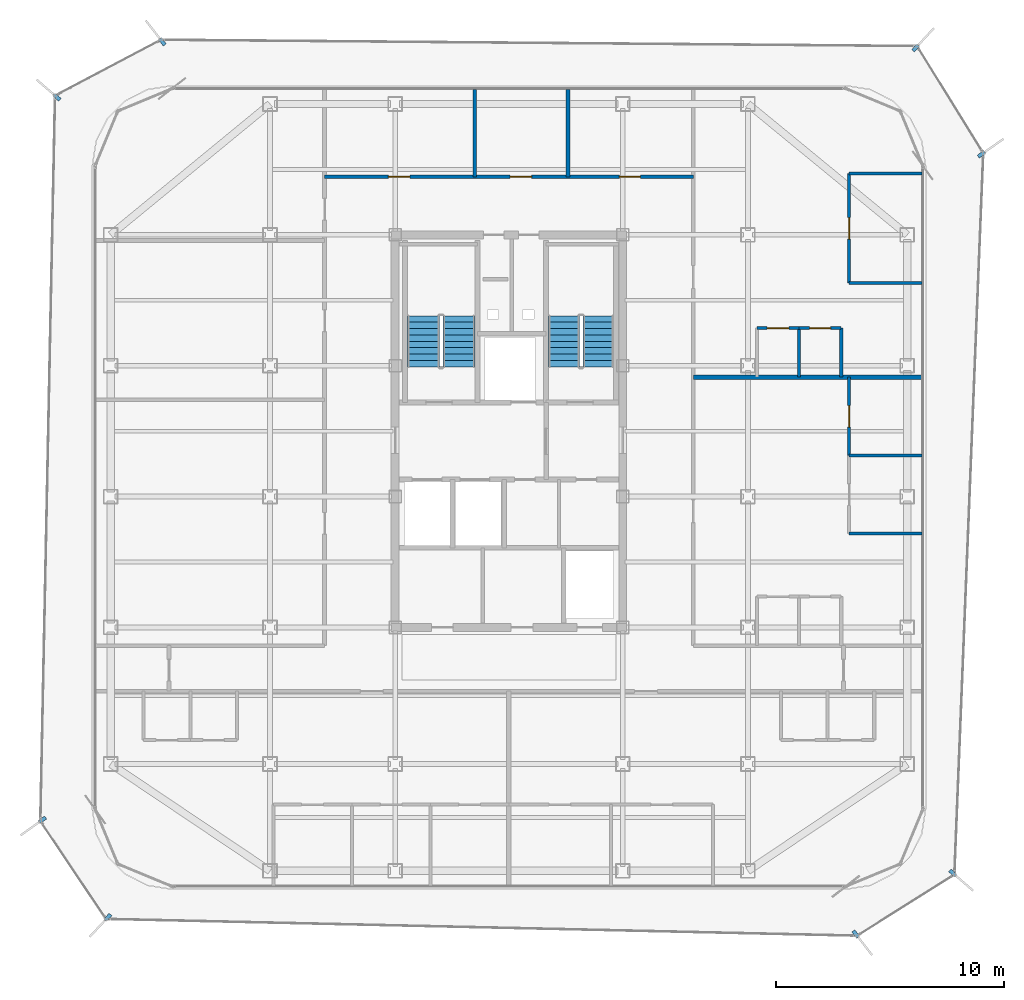
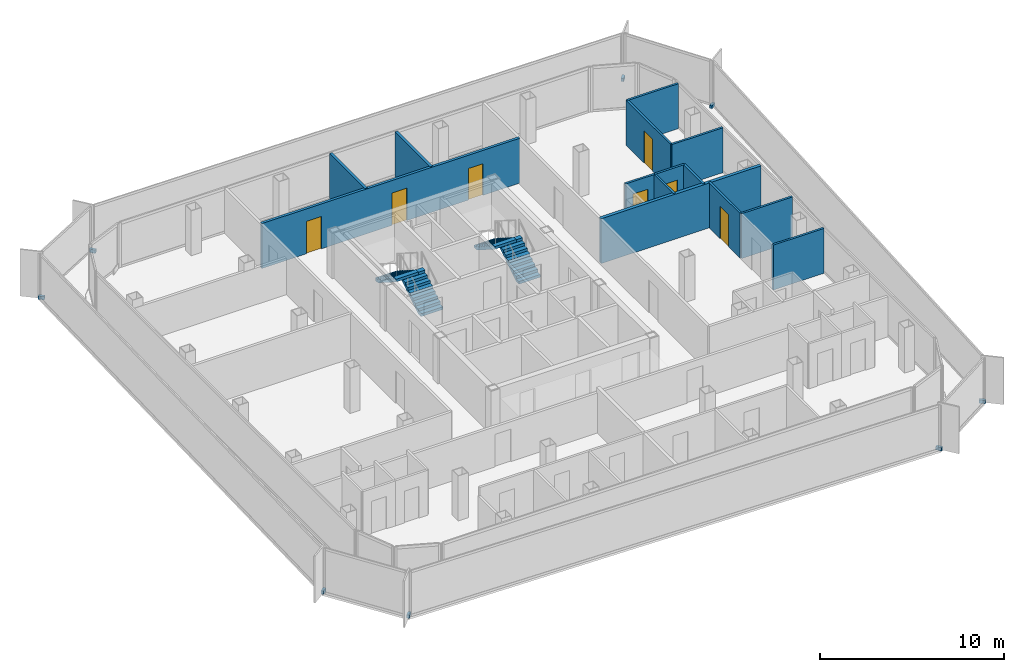
# One storey, part 12 of 15: 14 walls, 8 discrete accessories, 7 doors, 4 stair flights, 7 openings, 2 elements without a shape of their own.
"""IFC4 building model written with IfcOpenShell, lengths in metres."""

from ifc_helpers import new_model, si_unit, direction, frame, frame_2d, origin, origin_2d, place, context, subcontext, project, spatial, polyline, rectangle, outline, extrude, source, transform, mapped, material, layer, layer_set, type_object, element, fill, aggregate, save


model = new_model("IFC4")

# Units and contexts
model_context = context("Model", 3, precision=1e-05, world=origin(), true_north=direction((0.0, 1.0)))
body_context = subcontext(model_context, "Body", "Model", "MODEL_VIEW")
ifc_project = project(units=[si_unit("LENGTHUNIT", "METRE"), si_unit("AREAUNIT", "SQUARE_METRE"), si_unit("VOLUMEUNIT", "CUBIC_METRE"), si_unit("PLANEANGLEUNIT", "RADIAN"), si_unit("MASSUNIT", "GRAM", prefix="KILO")], contexts=[model_context])

# Site, building, storey
site_placement = place(None, origin())
site = spatial("IfcSite", under=ifc_project, at=site_placement, CompositionType="ELEMENT")
building_placement = place(site_placement, origin())
building = spatial("IfcBuilding", under=site, at=building_placement, Name="Kolveth Station Tower", CompositionType="ELEMENT")
storey_placement = place(building_placement, frame((0.0, 0.0, 239.300048828125)))
storey = spatial("IfcBuildingStorey", under=building, at=storey_placement, Name="L68", CompositionType="ELEMENT", Elevation=239.300048828125)

# Wall
ifc_material_1 = material(Name="Moisture-resistant gypsum partition")
ifc_layer_1 = layer(ifc_material_1, 0.135009765625)
ifc_layer_set_1 = layer_set([ifc_layer_1], Name="Moisture-resistant gypsum partition")
wall_type_1 = type_object("IfcWallType", Name="Wall_IW-135", PredefinedType="PARTITIONING", material=ifc_layer_set_1)
wall_1_placement = place(storey_placement, frame((38.449951171875, 15.6240234375, 0.0), z_axis=(0.0, 0.0, 1.0), x_axis=(1.0, 0.0, 0.0)))
element("IfcWall", 1, at=wall_1_placement, inside=storey, type_object=wall_type_1, Name="L68 Partition Wall WL-L68-E1-BDH0", PredefinedType="PARTITIONING", context=body_context, shape_type="SweptSolid", body=[
    extrude(rectangle(XDim=3.18994140625, YDim=0.135009765625, at=frame_2d((1.594970703125, 0.0))), origin(), (0.0, 0.0, 1.0), 2.97998046875),
])

# Wall, opening, door
wall_2_placement = place(storey_placement, frame((38.449951171875, 19.06201171875, 0.0), z_axis=(0.0, 0.0, 1.0), x_axis=(0.0, 1.0, 0.0)))
wall_2 = element("IfcWall", 2, at=wall_2_placement, inside=storey, type_object=wall_type_1, Name="L68 Partition Wall WL-L68-E1-BDV2", PredefinedType="PARTITIONING", context=body_context, shape_type="SweptSolid", body=[
    extrude(rectangle(XDim=3.43798828125, YDim=0.135009765625, at=frame_2d((1.718994140625, 0.0))), origin(), (0.0, 0.0, 1.0), 2.97998046875),
])
opening_1_placement = place(wall_2_placement, frame((1.239013671875, 0.0, 0.0)))
opening_1 = element("IfcOpeningElement", 3, at=opening_1_placement, cuts=wall_2, Name="Opening ID1", PredefinedType="OPENING", context=body_context, shape_type="SweptSolid", body=[
    extrude(rectangle(XDim=0.949951171875, YDim=2.14990234375, at=frame_2d((0.47509765625, 1.074951171875))), frame((0.0, 0.077392578125, 0.0), z_axis=(0.0, -1.0, 0.0), x_axis=(1.0, 0.0, 0.0)), (0.0, 0.0, 1.0), 0.155029296875),
])
ifc_material_2 = material(Name="Acoustic hardwood leaf and aluminium frame", Category="wood")
door_type_1 = type_object("IfcDoorType", Name="Door_ID1", OperationType="NOTDEFINED", PredefinedType="DOOR", material=ifc_material_2)
door_1_placement = place(opening_1_placement, frame((0.949951171875, 0.0, 0.0), z_axis=(0.0, 0.0, 1.0), x_axis=(-1.0, 0.0, 0.0)))
door_1 = element("IfcDoor", 4, at=door_1_placement, inside=storey, type_object=door_type_1, Name="Penthouse Flat L68-E1 Bedroom 2 Door", OperationType="SINGLE_SWING_LEFT", OverallHeight=2.14990234375, OverallWidth=0.949951171875, PredefinedType="DOOR", context=body_context, shape_type="SweptSolid", body=[
    extrude(rectangle(XDim=0.949951171875, YDim=2.14990234375, at=frame_2d((0.47509765625, 1.074951171875))), frame((0.0, 0.02490234375, 0.0), z_axis=(0.0, -1.0, 0.0), x_axis=(1.0, 0.0, 0.0)), (0.0, 0.0, 1.0), 0.050048828125),
])
fill(opening_1, door_1)

# Wall
wall_3_placement = place(storey_placement, frame((38.449951171875, 19.06201171875, 0.0), z_axis=(0.0, 0.0, 1.0), x_axis=(1.0, 0.0, 0.0)))
element("IfcWall", 5, at=wall_3_placement, inside=storey, type_object=wall_type_1, Name="L68 Partition Wall WL-L68-E1-BDH1", PredefinedType="PARTITIONING", context=body_context, shape_type="SweptSolid", body=[
    extrude(rectangle(XDim=3.18994140625, YDim=0.135009765625, at=frame_2d((1.594970703125, 0.0))), origin(), (0.0, 0.0, 1.0), 2.97998046875),
])

# Wall, opening, door
wall_4_placement = place(storey_placement, frame((34.39990234375, 24.64990234375, 0.0), z_axis=(0.0, 0.0, 1.0), x_axis=(1.0, 0.0, 0.0)))
wall_4 = element("IfcWall", 6, at=wall_4_placement, inside=storey, type_object=wall_type_1, Name="L68 Partition Wall WL-L68-E2-IBHK", PredefinedType="PARTITIONING", context=body_context, shape_type="SweptSolid", body=[
    extrude(rectangle(XDim=1.85009765625, YDim=0.135009765625, at=frame_2d((0.925048828125, 0.0))), origin(), (0.0, 0.0, 1.0), 2.97998046875),
])
opening_2_placement = place(wall_4_placement, frame((0.445068359375, 0.0, 0.0)))
opening_2 = element("IfcOpeningElement", 7, at=opening_2_placement, cuts=wall_4, Name="Opening ID1", PredefinedType="OPENING", context=body_context, shape_type="SweptSolid", body=[
    extrude(rectangle(XDim=0.949951171875, YDim=2.14990234375, at=frame_2d((0.47509765625, 1.074951171875))), frame((0.0, 0.077392578125, 0.0), z_axis=(0.0, -1.0, 0.0), x_axis=(1.0, 0.0, 0.0)), (0.0, 0.0, 1.0), 0.155029296875),
])
door_2_placement = place(opening_2_placement, origin())
door_2 = element("IfcDoor", 8, at=door_2_placement, inside=storey, type_object=door_type_1, Name="Penthouse Flat L68-E2 Kitchen Door", OperationType="SINGLE_SWING_LEFT", OverallHeight=2.14990234375, OverallWidth=0.949951171875, PredefinedType="DOOR", context=body_context, shape_type="SweptSolid", body=[
    extrude(rectangle(XDim=0.949951171875, YDim=2.14990234375, at=frame_2d((0.47509765625, 1.074951171875))), frame((0.0, 0.02490234375, 0.0), z_axis=(0.0, -1.0, 0.0), x_axis=(1.0, 0.0, 0.0)), (0.0, 0.0, 1.0), 0.050048828125),
])
fill(opening_2, door_2)

wall_5_placement = place(storey_placement, frame((36.25, 24.64990234375, 0.0), z_axis=(0.0, 0.0, 1.0), x_axis=(1.0, 0.0, 0.0)))
wall_5 = element("IfcWall", 9, at=wall_5_placement, inside=storey, type_object=wall_type_1, Name="L68 Partition Wall WL-L68-E2-IBHB", PredefinedType="PARTITIONING", context=body_context, shape_type="SweptSolid", body=[
    extrude(rectangle(XDim=1.85009765625, YDim=0.135009765625, at=frame_2d((0.925048828125, 0.0))), origin(), (0.0, 0.0, 1.0), 2.97998046875),
])
opening_3_placement = place(wall_5_placement, frame((0.465087890625, 0.0, 0.0)))
opening_3 = element("IfcOpeningElement", 10, at=opening_3_placement, cuts=wall_5, Name="Opening ID2", PredefinedType="OPENING", context=body_context, shape_type="SweptSolid", body=[
    extrude(rectangle(XDim=0.919921875, YDim=2.10009765625, at=frame_2d((0.4599609375, 1.050048828125))), frame((0.0, 0.077392578125, 0.0), z_axis=(0.0, -1.0, 0.0), x_axis=(1.0, 0.0, 0.0)), (0.0, 0.0, 1.0), 0.155029296875),
])
ifc_material_3 = material(Name="Moisture-resistant hardwood leaf", Category="wood")
door_type_2 = type_object("IfcDoorType", Name="Door_ID2", OperationType="NOTDEFINED", PredefinedType="DOOR", material=ifc_material_3)
door_3_placement = place(opening_3_placement, origin())
door_3 = element("IfcDoor", 11, at=door_3_placement, inside=storey, type_object=door_type_2, Name="Penthouse Flat L68-E2 Bathroom Door", OperationType="SINGLE_SWING_RIGHT", OverallHeight=2.10009765625, OverallWidth=0.919921875, PredefinedType="DOOR", context=body_context, shape_type="SweptSolid", body=[
    extrude(rectangle(XDim=0.919921875, YDim=2.10009765625, at=frame_2d((0.4599609375, 1.050048828125))), frame((0.0, 0.02490234375, 0.0), z_axis=(0.0, -1.0, 0.0), x_axis=(1.0, 0.0, 0.0)), (0.0, 0.0, 1.0), 0.050048828125),
])
fill(opening_3, door_3)

# Walls
for number, where, z_axis, x_axis, name in (
    (12, (36.25, 22.5, 0.0), (0.0, 0.0, 1.0), (0.0, 1.0, 0.0), "L68 Partition Wall WL-L68-E2-IBV1"),
    (13, (38.10009765625, 22.5, 0.0), (0.0, 0.0, 1.0), (0.0, 1.0, 0.0), "L68 Partition Wall WL-L68-E2-IBV2"),
):
    element("IfcWall", number, at=place(storey_placement, frame(where, z_axis=z_axis, x_axis=x_axis)), inside=storey, type_object=wall_type_1, Name=name, PredefinedType="PARTITIONING", context=body_context, shape_type="SweptSolid", body=[
        extrude(rectangle(XDim=2.14990234375, YDim=0.135009765625, at=frame_2d((1.074951171875, 0.0))), origin(), (0.0, 0.0, 1.0), 2.97998046875),
    ])
for number, where, z_axis, x_axis, name in (
    (14, (38.449951171875, 26.6259765625, 0.0), (0.0, 0.0, 1.0), (1.0, 0.0, 0.0), "L68 Partition Wall WL-L68-E2-BDH0"),
    (15, (38.449951171875, 31.449951171875, 0.0), (0.0, 0.0, 1.0), (1.0, 0.0, 0.0), "L68 Partition Wall WL-L68-E2-BDHE"),
):
    element("IfcWall", number, at=place(storey_placement, frame(where, z_axis=z_axis, x_axis=x_axis)), inside=storey, type_object=wall_type_1, Name=name, PredefinedType="PARTITIONING", context=body_context, shape_type="SweptSolid", body=[
        extrude(rectangle(XDim=3.18994140625, YDim=0.135009765625, at=frame_2d((1.594970703125, 0.0))), origin(), (0.0, 0.0, 1.0), 2.97998046875),
    ])

# Wall, opening, door
wall_6_placement = place(storey_placement, frame((38.449951171875, 26.6259765625, 0.0), z_axis=(0.0, 0.0, 1.0), x_axis=(0.0, 1.0, 0.0)))
wall_6 = element("IfcWall", 16, at=wall_6_placement, inside=storey, type_object=wall_type_1, Name="L68 Partition Wall WL-L68-E2-BDV1", PredefinedType="PARTITIONING", context=body_context, shape_type="SweptSolid", body=[
    extrude(rectangle(XDim=4.823974609375, YDim=0.135009765625, at=frame_2d((2.412109375, 0.0))), origin(), (0.0, 0.0, 1.0), 2.97998046875),
])
opening_4_placement = place(wall_6_placement, frame((1.931884765625, 0.0, 0.0)))
opening_4 = element("IfcOpeningElement", 17, at=opening_4_placement, cuts=wall_6, Name="Opening ID1", PredefinedType="OPENING", context=body_context, shape_type="SweptSolid", body=[
    extrude(rectangle(XDim=0.949951171875, YDim=2.14990234375, at=frame_2d((0.47509765625, 1.074951171875))), frame((0.0, 0.077392578125, 0.0), z_axis=(0.0, -1.0, 0.0), x_axis=(1.0, 0.0, 0.0)), (0.0, 0.0, 1.0), 0.155029296875),
])
door_4_placement = place(opening_4_placement, frame((0.949951171875, 0.0, 0.0), z_axis=(0.0, 0.0, 1.0), x_axis=(-1.0, 0.0, 0.0)))
door_4 = element("IfcDoor", 18, at=door_4_placement, inside=storey, type_object=door_type_1, Name="Penthouse Flat L68-E2 Bedroom 1 Door", OperationType="SINGLE_SWING_LEFT", OverallHeight=2.14990234375, OverallWidth=0.949951171875, PredefinedType="DOOR", context=body_context, shape_type="SweptSolid", body=[
    extrude(rectangle(XDim=0.949951171875, YDim=2.14990234375, at=frame_2d((0.47509765625, 1.074951171875))), frame((0.0, 0.02490234375, 0.0), z_axis=(0.0, -1.0, 0.0), x_axis=(1.0, 0.0, 0.0)), (0.0, 0.0, 1.0), 0.050048828125),
])
fill(opening_4, door_4)

# Wall, openings, doors
ifc_material_4 = material(Name="Acoustic double-stud gypsum partition")
ifc_layer_2 = layer(ifc_material_4, 0.1650390625)
ifc_layer_set_2 = layer_set([ifc_layer_2], Name="Acoustic double-stud gypsum partition")
wall_type_2 = type_object("IfcWallType", Name="Wall_IW-165", PredefinedType="PARTITIONING", material=ifc_layer_set_2)
wall_7_placement = place(storey_placement, frame((15.39990234375, 31.300048828125, 0.0), z_axis=(0.0, 0.0, 1.0), x_axis=(1.0, 0.0, 0.0)))
wall_7 = element("IfcWall", 19, at=wall_7_placement, inside=storey, type_object=wall_type_2, Name="L68 Partition Wall WL-L68-RN", PredefinedType="PARTITIONING", context=body_context, shape_type="SweptSolid", body=[
    extrude(rectangle(XDim=16.2001953125, YDim=0.1650390625, at=frame_2d((8.10009765625, 0.0))), origin(), (0.0, 0.0, 1.0), 2.97998046875),
])
opening_5_placement = place(wall_7_placement, frame((2.800048828125, 0.0, 0.0)))
opening_5 = element("IfcOpeningElement", 20, at=opening_5_placement, cuts=wall_7, Name="Opening ID1", PredefinedType="OPENING", context=body_context, shape_type="SweptSolid", body=[
    extrude(rectangle(XDim=0.949951171875, YDim=2.14990234375, at=frame_2d((0.47509765625, 1.074951171875))), frame((0.0, 0.092529296875, 0.0), z_axis=(0.0, -1.0, 0.0), x_axis=(1.0, 0.0, 0.0)), (0.0, 0.0, 1.0), 0.18505859375),
])
opening_6_placement = place(wall_7_placement, frame((8.14990234375, 0.0, 0.0)))
opening_6 = element("IfcOpeningElement", 21, at=opening_6_placement, cuts=wall_7, Name="Opening ID1", PredefinedType="OPENING", context=body_context, shape_type="SweptSolid", body=[
    extrude(rectangle(XDim=0.949951171875, YDim=2.14990234375, at=frame_2d((0.47509765625, 1.074951171875))), frame((0.0, 0.092529296875, 0.0), z_axis=(0.0, -1.0, 0.0), x_axis=(1.0, 0.0, 0.0)), (0.0, 0.0, 1.0), 0.18505859375),
])
opening_7_placement = place(wall_7_placement, frame((12.949951171875, 0.0, 0.0)))
opening_7 = element("IfcOpeningElement", 22, at=opening_7_placement, cuts=wall_7, Name="Opening ID2", PredefinedType="OPENING", context=body_context, shape_type="SweptSolid", body=[
    extrude(rectangle(XDim=0.919921875, YDim=2.10009765625, at=frame_2d((0.4599609375, 1.050048828125))), frame((0.0, 0.092529296875, 0.0), z_axis=(0.0, -1.0, 0.0), x_axis=(1.0, 0.0, 0.0)), (0.0, 0.0, 1.0), 0.18505859375),
])
door_5_placement = place(opening_5_placement, origin())
door_5 = element("IfcDoor", 23, at=door_5_placement, inside=storey, type_object=door_type_1, Name="L68 Residents' Study Lounge Door", OperationType="SINGLE_SWING_LEFT", OverallHeight=2.14990234375, OverallWidth=0.949951171875, PredefinedType="DOOR", context=body_context, shape_type="SweptSolid", body=[
    extrude(rectangle(XDim=0.949951171875, YDim=2.14990234375, at=frame_2d((0.47509765625, 1.074951171875))), frame((0.0, 0.02490234375, 0.0), z_axis=(0.0, -1.0, 0.0), x_axis=(1.0, 0.0, 0.0)), (0.0, 0.0, 1.0), 0.050048828125),
])
fill(opening_5, door_5)
door_6_placement = place(opening_6_placement, origin())
door_6 = element("IfcDoor", 24, at=door_6_placement, inside=storey, type_object=door_type_1, Name="L68 Residents' Linen Store Door", OperationType="SINGLE_SWING_RIGHT", OverallHeight=2.14990234375, OverallWidth=0.949951171875, PredefinedType="DOOR", context=body_context, shape_type="SweptSolid", body=[
    extrude(rectangle(XDim=0.949951171875, YDim=2.14990234375, at=frame_2d((0.47509765625, 1.074951171875))), frame((0.0, 0.02490234375, 0.0), z_axis=(0.0, -1.0, 0.0), x_axis=(1.0, 0.0, 0.0)), (0.0, 0.0, 1.0), 0.050048828125),
])
fill(opening_6, door_6)
door_7_placement = place(opening_7_placement, origin())
door_7 = element("IfcDoor", 25, at=door_7_placement, inside=storey, type_object=door_type_2, Name="L68 Accessible Residents' WC Door", OperationType="SINGLE_SWING_LEFT", OverallHeight=2.10009765625, OverallWidth=0.919921875, PredefinedType="DOOR", context=body_context, shape_type="SweptSolid", body=[
    extrude(rectangle(XDim=0.919921875, YDim=2.10009765625, at=frame_2d((0.4599609375, 1.050048828125))), frame((0.0, 0.02490234375, 0.0), z_axis=(0.0, -1.0, 0.0), x_axis=(1.0, 0.0, 0.0)), (0.0, 0.0, 1.0), 0.050048828125),
])
fill(opening_7, door_7)

# Walls
for number, where, z_axis, x_axis, name in (
    (26, (22.0, 31.300048828125, 0.0), (0.0, 0.0, 1.0), (0.0, 1.0, 0.0), "L68 Partition Wall WL-L68-RN-P1"),
    (27, (26.10009765625, 31.300048828125, 0.0), (0.0, 0.0, 1.0), (0.0, 1.0, 0.0), "L68 Partition Wall WL-L68-RN-P2"),
):
    element("IfcWall", number, at=place(storey_placement, frame(where, z_axis=z_axis, x_axis=x_axis)), inside=storey, type_object=wall_type_2, Name=name, PredefinedType="PARTITIONING", context=body_context, shape_type="SweptSolid", body=[
        extrude(rectangle(XDim=3.83984375, YDim=0.1650390625, at=frame_2d((1.919921875, 0.0))), origin(), (0.0, 0.0, 1.0), 2.97998046875),
    ])
ifc_material_5 = material(Name="Acoustic fire-rated gypsum blockwork", Category="masonry")
ifc_layer_3 = layer(ifc_material_5, 0.199951171875)
ifc_layer_set_3 = layer_set([ifc_layer_3], Name="Acoustic fire-rated gypsum blockwork")
wall_type_3 = type_object("IfcWallType", Name="Wall_IW-200", PredefinedType="PARTITIONING", material=ifc_layer_set_3)
wall_8_placement = place(storey_placement, frame((31.60009765625, 22.5, 0.0), z_axis=(0.0, 0.0, 1.0), x_axis=(1.0, 0.0, 0.0)))
element("IfcWall", 28, at=wall_8_placement, inside=storey, type_object=wall_type_3, Name="L68 Partition Wall WL-L68-REU-1", PredefinedType="PARTITIONING", context=body_context, shape_type="SweptSolid", body=[
    extrude(rectangle(XDim=10.039794921875, YDim=0.199951171875, at=frame_2d((5.02001953125, 0.0))), origin(), (0.0, 0.0, 1.0), 2.97998046875),
])

# Stair, stair flights
ifc_material_6 = material(Name="Concrete C40/50", Category="concrete")
stair_type_1 = type_object("IfcStairType", Name="Stair_ST1", PredefinedType="HALF_TURN_STAIR", material=ifc_material_6)
stair_1_placement = place(storey_placement, origin())
stair_1 = element("IfcStair", 29, at=stair_1_placement, inside=storey, type_object=stair_type_1, Name="L68 Tower Exit Stair ST1", PredefinedType="HALF_TURN_STAIR")
ifc_layer_4 = layer(ifc_material_6, 0.179931640625)
ifc_layer_set_4 = layer_set([ifc_layer_4], Name="Concrete C40/50")
stair_flight_type_1 = type_object("IfcStairFlightType", Name="Flight_ST1", PredefinedType="STRAIGHT", material=ifc_layer_set_4)
stair_flight_1_placement = place(storey_placement, frame((21.300048828125, 22.949951171875, 0.0), z_axis=(0.0, 0.0, 1.0), x_axis=(0.0, 1.0, 0.0)))
stair_flight_1 = element("IfcStairFlight", 30, at=stair_flight_1_placement, type_object=stair_flight_type_1, Name="ST1 flight 1", NumberOfRisers=9, NumberOfTreads=8, PredefinedType="STRAIGHT", RiserHeight=0.177777778, TreadLength=0.28, context=body_context, shape_type="SweptSolid", body=[
    extrude(outline(polyline([(0.0, 0.0), (0.0, 0.177734375), (0.280029296875, 0.177734375), (0.280029296875, 0.35546875), (0.56005859375, 0.35546875), (0.56005859375, 0.533447265625), (0.840087890625, 0.533447265625), (0.840087890625, 0.711181640625), (1.1201171875, 0.711181640625), (1.1201171875, 0.888916015625), (1.39990234375, 0.888916015625), (1.39990234375, 1.066650390625), (1.679931640625, 1.066650390625), (1.679931640625, 1.244384765625), (1.9599609375, 1.244384765625), (1.9599609375, 1.422119140625), (2.239990234375, 1.422119140625), (2.239990234375, 1.60009765625), (2.239990234375, 1.24462890625), (0.27978515625, 0.0), (0.0, 0.0)])), frame((0.0, 0.699951171875, 0.0), z_axis=(0.0, -1.0, 0.0), x_axis=(1.0, 0.0, 0.0)), (0.0, 0.0, 1.0), 1.39990234375),
])
stair_flight_2_placement = place(storey_placement, frame((19.739990234375, 25.18994140625, 1.599853515625), z_axis=(0.0, 0.0, 1.0), x_axis=(0.0, -1.0, 0.0)))
stair_flight_2 = element("IfcStairFlight", 31, at=stair_flight_2_placement, type_object=stair_flight_type_1, Name="ST1 flight 2", NumberOfRisers=9, NumberOfTreads=8, PredefinedType="STRAIGHT", RiserHeight=0.177777778, TreadLength=0.28, context=body_context, shape_type="SweptSolid", body=[
    extrude(outline(polyline([(0.0, 0.0), (0.0, 0.177734375), (0.280029296875, 0.177734375), (0.280029296875, 0.35546875), (0.56005859375, 0.35546875), (0.56005859375, 0.533447265625), (0.840087890625, 0.533447265625), (0.840087890625, 0.711181640625), (1.1201171875, 0.711181640625), (1.1201171875, 0.888916015625), (1.39990234375, 0.888916015625), (1.39990234375, 1.066650390625), (1.679931640625, 1.066650390625), (1.679931640625, 1.244384765625), (1.9599609375, 1.244384765625), (1.9599609375, 1.422119140625), (2.239990234375, 1.422119140625), (2.239990234375, 1.60009765625), (2.239990234375, 1.24462890625), (0.27978515625, 0.0), (0.0, 0.0)])), frame((0.0, 0.699951171875, 0.0), z_axis=(0.0, -1.0, 0.0), x_axis=(1.0, 0.0, 0.0)), (0.0, 0.0, 1.0), 1.39990234375),
])
aggregate(stair_1, [stair_flight_1, stair_flight_2])

stair_type_2 = type_object("IfcStairType", Name="Stair_ST2", PredefinedType="HALF_TURN_STAIR", material=ifc_material_6)
stair_2_placement = place(storey_placement, origin())
stair_2 = element("IfcStair", 32, at=stair_2_placement, inside=storey, type_object=stair_type_2, Name="L68 Tower Exit Stair ST2", PredefinedType="HALF_TURN_STAIR")
ifc_layer_5 = layer(ifc_material_6, 0.179931640625)
ifc_layer_set_5 = layer_set([ifc_layer_5], Name="Concrete C40/50")
stair_flight_type_2 = type_object("IfcStairFlightType", Name="Flight_ST2", PredefinedType="STRAIGHT", material=ifc_layer_set_5)
stair_flight_3_placement = place(storey_placement, frame((27.425048828125, 22.949951171875, 0.0), z_axis=(0.0, 0.0, 1.0), x_axis=(0.0, 1.0, 0.0)))
stair_flight_3 = element("IfcStairFlight", 33, at=stair_flight_3_placement, type_object=stair_flight_type_2, Name="ST2 flight 1", NumberOfRisers=9, NumberOfTreads=8, PredefinedType="STRAIGHT", RiserHeight=0.177777778, TreadLength=0.28, context=body_context, shape_type="SweptSolid", body=[
    extrude(outline(polyline([(0.0, 0.0), (0.0, 0.177734375), (0.280029296875, 0.177734375), (0.280029296875, 0.35546875), (0.56005859375, 0.35546875), (0.56005859375, 0.533447265625), (0.840087890625, 0.533447265625), (0.840087890625, 0.711181640625), (1.1201171875, 0.711181640625), (1.1201171875, 0.888916015625), (1.39990234375, 0.888916015625), (1.39990234375, 1.066650390625), (1.679931640625, 1.066650390625), (1.679931640625, 1.244384765625), (1.9599609375, 1.244384765625), (1.9599609375, 1.422119140625), (2.239990234375, 1.422119140625), (2.239990234375, 1.60009765625), (2.239990234375, 1.24462890625), (0.27978515625, 0.0), (0.0, 0.0)])), frame((0.0, 0.675048828125, 0.0), z_axis=(0.0, -1.0, 0.0), x_axis=(1.0, 0.0, 0.0)), (0.0, 0.0, 1.0), 1.35009765625),
])
stair_flight_4_placement = place(storey_placement, frame((25.9150390625, 25.18994140625, 1.599853515625), z_axis=(0.0, 0.0, 1.0), x_axis=(0.0, -1.0, 0.0)))
stair_flight_4 = element("IfcStairFlight", 34, at=stair_flight_4_placement, type_object=stair_flight_type_2, Name="ST2 flight 2", NumberOfRisers=9, NumberOfTreads=8, PredefinedType="STRAIGHT", RiserHeight=0.177777778, TreadLength=0.28, context=body_context, shape_type="SweptSolid", body=[
    extrude(outline(polyline([(0.0, 0.0), (0.0, 0.177734375), (0.280029296875, 0.177734375), (0.280029296875, 0.35546875), (0.56005859375, 0.35546875), (0.56005859375, 0.533447265625), (0.840087890625, 0.533447265625), (0.840087890625, 0.711181640625), (1.1201171875, 0.711181640625), (1.1201171875, 0.888916015625), (1.39990234375, 0.888916015625), (1.39990234375, 1.066650390625), (1.679931640625, 1.066650390625), (1.679931640625, 1.244384765625), (1.9599609375, 1.244384765625), (1.9599609375, 1.422119140625), (2.239990234375, 1.422119140625), (2.239990234375, 1.60009765625), (2.239990234375, 1.24462890625), (0.27978515625, 0.0), (0.0, 0.0)])), frame((0.0, 0.675048828125, 0.0), z_axis=(0.0, -1.0, 0.0), x_axis=(1.0, 0.0, 0.0)), (0.0, 0.0, 1.0), 1.35009765625),
])
aggregate(stair_2, [stair_flight_3, stair_flight_4])

# Discrete accessories
ifc_material_7 = material(Name="Steel S355", Category="steel")
discrete_accessory_type = type_object("IfcDiscreteAccessoryType", Name="Bracket_BK1", PredefinedType="BRACKET", material=ifc_material_7)
shared_shape = source(origin(), body_context, "Body", "SweptSolid", [
    extrude(rectangle(XDim=0.35009765625, YDim=0.159912109375, at=origin_2d()), origin(), (0.0, 0.0, 1.0), 0.219970703125),
])
for number, where, z_axis, x_axis, name in (
    (35, (38.738037109375, -1.972900390625, -0.06005859375), (0.0, 0.0, 1.0), (0.613320693815, -0.789833986695, 0.0), "L68 Double-Skin Radial Tie Bracket 1"),
    (36, (43.00390625, 0.70703125, -0.06005859375), (0.0, 0.0, 1.0), (0.754938542041, -0.655795545685, 0.0), "L68 Double-Skin Radial Tie Bracket 2"),
    (37, (44.26611328125, 32.2890625, -0.06005859375), (0.0, 0.0, 1.0), (0.817346061384, 0.576147043678, 0.0), "L68 Double-Skin Radial Tie Bracket 3"),
    (38, (41.3720703125, 36.966064453125, -0.06005859375), (0.0, 0.0, 1.0), (0.679185142834, 0.733966989553, 0.0), "L68 Double-Skin Radial Tie Bracket 4"),
    (39, (8.26708984375, 37.235107421875, -0.06005859375), (0.0, 0.0, 1.0), (-0.614009720373, 0.789298462742, 0.0), "L68 Double-Skin Radial Tie Bracket 5"),
    (40, (3.635986328125, 34.799072265625, -0.06005859375), (0.0, 0.0, 1.0), (-0.756881000713, 0.653552714599, 0.0), "L68 Double-Skin Radial Tie Bracket 6"),
    (41, (2.998046875, 3.044921875, -0.06005859375), (0.0, 0.0, 1.0), (-0.814419462102, -0.58027660624, 0.0), "L68 Double-Skin Radial Tie Bracket 7"),
    (42, (5.87109375, -1.241943359375, -0.06005859375), (0.0, 0.0, 1.0), (-0.682253609109, -0.73111559473, 0.0), "L68 Double-Skin Radial Tie Bracket 8"),
):
    element("IfcDiscreteAccessory", number, at=place(storey_placement, frame(where, z_axis=z_axis, x_axis=x_axis)), inside=storey, type_object=discrete_accessory_type, Name=name, PredefinedType="BRACKET", context=body_context, shape_type="MappedRepresentation", body=[
        mapped(shared_shape, transform((0.0, 0.0, 0.0), x_axis=(1.0, 0.0, 0.0), y_axis=(0.0, 1.0, 0.0), z_axis=(0.0, 0.0, 1.0), scale=1.0)),
    ])

save(model, "model.ifc")
